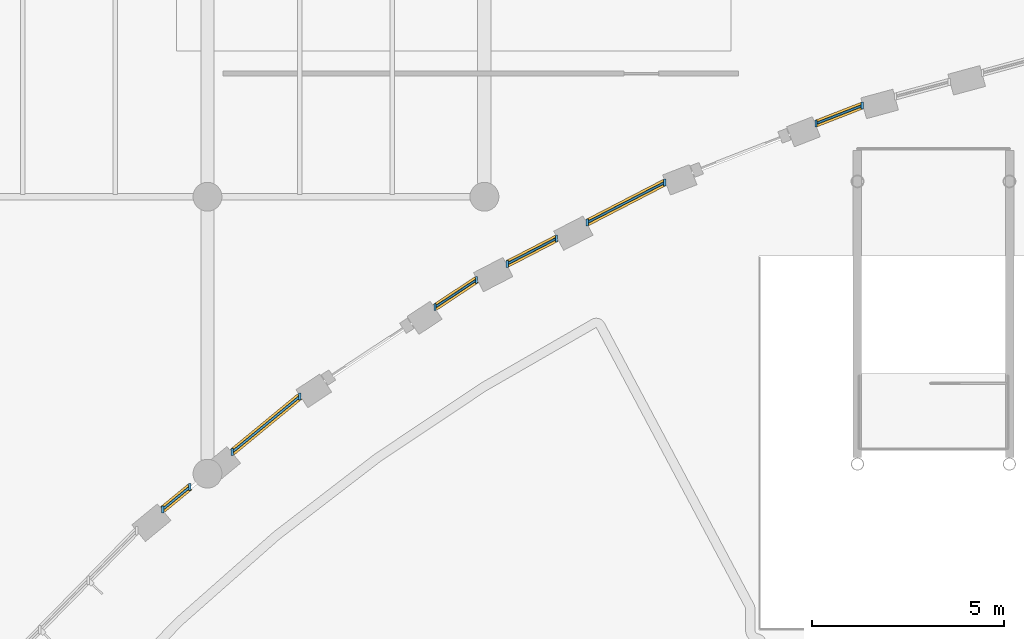
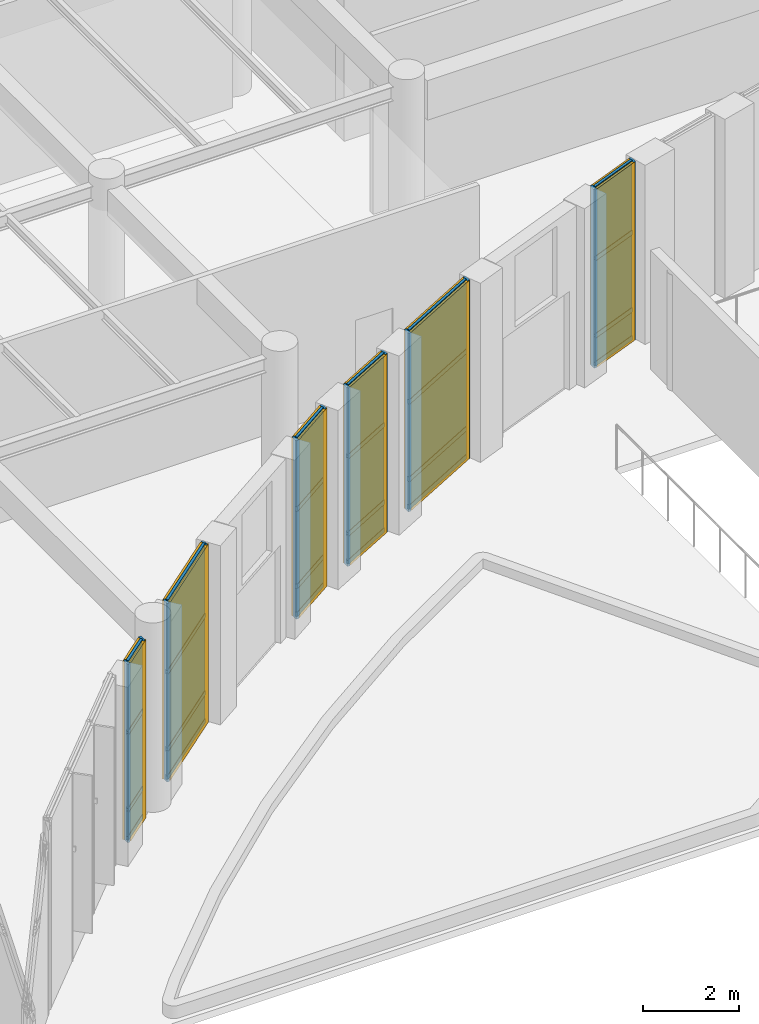
# One storey, part 57 of 122: 36 members, 18 plates, 6 curtain walls.
"""IFC4 building model written with IfcOpenShell, lengths in metres."""

from ifc_helpers import new_model, si_unit, direction, frame, frame_2d, origin, origin_2d, place, context, subcontext, project, spatial, rectangle, extrude, material, layer, layer_set, material_profile, profile_set, type_object, element, aggregate, save


model = new_model("IFC4")

# Units and contexts
model_context = context("Model", 3, precision=1e-05, world=origin(), true_north=direction((0.0, 1.0)))
body_context = subcontext(model_context, "Body", "Model", "MODEL_VIEW")
ifc_project = project(units=[si_unit("LENGTHUNIT", "METRE"), si_unit("AREAUNIT", "SQUARE_METRE"), si_unit("VOLUMEUNIT", "CUBIC_METRE"), si_unit("PLANEANGLEUNIT", "RADIAN"), si_unit("MASSUNIT", "GRAM", prefix="KILO")], contexts=[model_context])

# Member
ifc_material_1 = material(Name="Anodised Bronze Aluminium 6063-T6", Category="aluminium")
ifc_material_profile_1 = material_profile(ifc_material_1, rectangle(XDim=0.06005859375, YDim=0.1201171875, at=origin_2d()), Name="ALU TRANSOM 60x120")
ifc_profile_set_1 = profile_set([ifc_material_profile_1], Name="Anodised Bronze Aluminium 6063-T6")
member_type_1 = type_object("IfcMemberType", Name="Curtain-Wall Light Transom 60x120", PredefinedType="USERDEFINED", material=ifc_profile_set_1)
site_placement = place(None, origin())
building_placement = place(site_placement, origin())
storey_placement = place(building_placement, origin())
member_1_placement = place(storey_placement, frame((42.064453125, 7.695068359375, 0.0400390625), z_axis=(0.771787405886, 0.635880649269, 0.0), x_axis=(-0.635880649269, 0.771787405886, 0.0)))
member_1 = element("IfcMember", 1, at=member_1_placement, type_object=member_type_1, Name="Transom CWT-03 CW-V5-SLOT-C03-1-T01.1", ObjectType="TRANSOM", PredefinedType="USERDEFINED", context=body_context, shape_type="SweptSolid", body=[
    extrude(rectangle(XDim=0.06005859375, YDim=0.1201171875, at=origin_2d()), origin(), (0.0, 0.0, 1.0), 0.8388671875),
])

member_2_placement = place(storey_placement, frame((42.064453125, 7.695068359375, 0.75), z_axis=(0.771787405886, 0.635880649269, 0.0), x_axis=(-0.635880649269, 0.771787405886, 0.0)))
member_2 = element("IfcMember", 2, at=member_2_placement, type_object=member_type_1, Name="Transom CWT-03 CW-V5-SLOT-C03-1-T01.2", ObjectType="TRANSOM", PredefinedType="USERDEFINED", context=body_context, shape_type="SweptSolid", body=[
    extrude(rectangle(XDim=0.06005859375, YDim=0.1201171875, at=origin_2d()), origin(), (0.0, 0.0, 1.0), 0.8388671875),
])

member_3_placement = place(storey_placement, frame((42.064453125, 7.695068359375, 2.71044921875), z_axis=(0.771787405886, 0.635880649269, 0.0), x_axis=(-0.635880649269, 0.771787405886, 0.0)))
member_3 = element("IfcMember", 3, at=member_3_placement, type_object=member_type_1, Name="Transom CWT-03 CW-V5-SLOT-C03-1-T01.3", ObjectType="TRANSOM", PredefinedType="USERDEFINED", context=body_context, shape_type="SweptSolid", body=[
    extrude(rectangle(XDim=0.06005859375, YDim=0.1201171875, at=origin_2d()), origin(), (0.0, 0.0, 1.0), 0.8388671875),
])

member_4_placement = place(storey_placement, frame((42.064453125, 7.695068359375, 4.47998046875), z_axis=(0.771787405886, 0.635880649269, 0.0), x_axis=(-0.635880649269, 0.771787405886, 0.0)))
member_4 = element("IfcMember", 4, at=member_4_placement, type_object=member_type_1, Name="Transom CWT-03 CW-V5-SLOT-C03-1-T01.4", ObjectType="TRANSOM", PredefinedType="USERDEFINED", context=body_context, shape_type="SweptSolid", body=[
    extrude(rectangle(XDim=0.06005859375, YDim=0.1201171875, at=origin_2d()), origin(), (0.0, 0.0, 1.0), 0.8388671875),
])

member_5_placement = place(storey_placement, frame((43.87451171875, 9.18603515625, 0.0400390625), z_axis=(0.771901335094, 0.635742344727, 0.0), x_axis=(-0.635742344727, 0.771901335094, 0.0)))
member_5 = element("IfcMember", 5, at=member_5_placement, type_object=member_type_1, Name="Transom CWT-03 CW-V5-SLOT-C03-2-T01.1", ObjectType="TRANSOM", PredefinedType="USERDEFINED", context=body_context, shape_type="SweptSolid", body=[
    extrude(rectangle(XDim=0.06005859375, YDim=0.1201171875, at=origin_2d()), origin(), (0.0, 0.0, 1.0), 2.194580078125),
])

member_6_placement = place(storey_placement, frame((43.87451171875, 9.18603515625, 0.75), z_axis=(0.771901335094, 0.635742344727, 0.0), x_axis=(-0.635742344727, 0.771901335094, 0.0)))
member_6 = element("IfcMember", 6, at=member_6_placement, type_object=member_type_1, Name="Transom CWT-03 CW-V5-SLOT-C03-2-T01.2", ObjectType="TRANSOM", PredefinedType="USERDEFINED", context=body_context, shape_type="SweptSolid", body=[
    extrude(rectangle(XDim=0.06005859375, YDim=0.1201171875, at=origin_2d()), origin(), (0.0, 0.0, 1.0), 2.194580078125),
])

member_7_placement = place(storey_placement, frame((43.87451171875, 9.18603515625, 2.71044921875), z_axis=(0.771901335094, 0.635742344727, 0.0), x_axis=(-0.635742344727, 0.771901335094, 0.0)))
member_7 = element("IfcMember", 7, at=member_7_placement, type_object=member_type_1, Name="Transom CWT-03 CW-V5-SLOT-C03-2-T01.3", ObjectType="TRANSOM", PredefinedType="USERDEFINED", context=body_context, shape_type="SweptSolid", body=[
    extrude(rectangle(XDim=0.06005859375, YDim=0.1201171875, at=origin_2d()), origin(), (0.0, 0.0, 1.0), 2.194580078125),
])

member_8_placement = place(storey_placement, frame((43.87451171875, 9.18603515625, 4.47998046875), z_axis=(0.771901335094, 0.635742344727, 0.0), x_axis=(-0.635742344727, 0.771901335094, 0.0)))
member_8 = element("IfcMember", 8, at=member_8_placement, type_object=member_type_1, Name="Transom CWT-03 CW-V5-SLOT-C03-2-T01.4", ObjectType="TRANSOM", PredefinedType="USERDEFINED", context=body_context, shape_type="SweptSolid", body=[
    extrude(rectangle(XDim=0.06005859375, YDim=0.1201171875, at=origin_2d()), origin(), (0.0, 0.0, 1.0), 2.194580078125),
])

member_9_placement = place(storey_placement, frame((49.146240234375, 12.947998046875, 0.0400390625), z_axis=(0.834780507861, 0.550582876319, 0.0), x_axis=(-0.550582876319, 0.834780507861, 0.0)))
member_9 = element("IfcMember", 9, at=member_9_placement, type_object=member_type_1, Name="Transom CWT-03 CW-V5-SLOT-C04-2-T01.1", ObjectType="TRANSOM", PredefinedType="USERDEFINED", context=body_context, shape_type="SweptSolid", body=[
    extrude(rectangle(XDim=0.06005859375, YDim=0.1201171875, at=origin_2d()), origin(), (0.0, 0.0, 1.0), 1.219970703125),
])

member_10_placement = place(storey_placement, frame((49.146240234375, 12.947998046875, 0.75), z_axis=(0.834780507861, 0.550582876319, 0.0), x_axis=(-0.550582876319, 0.834780507861, 0.0)))
member_10 = element("IfcMember", 10, at=member_10_placement, type_object=member_type_1, Name="Transom CWT-03 CW-V5-SLOT-C04-2-T01.2", ObjectType="TRANSOM", PredefinedType="USERDEFINED", context=body_context, shape_type="SweptSolid", body=[
    extrude(rectangle(XDim=0.06005859375, YDim=0.1201171875, at=origin_2d()), origin(), (0.0, 0.0, 1.0), 1.219970703125),
])

member_11_placement = place(storey_placement, frame((49.146240234375, 12.947998046875, 2.71044921875), z_axis=(0.834780507861, 0.550582876319, 0.0), x_axis=(-0.550582876319, 0.834780507861, 0.0)))
member_11 = element("IfcMember", 11, at=member_11_placement, type_object=member_type_1, Name="Transom CWT-03 CW-V5-SLOT-C04-2-T01.3", ObjectType="TRANSOM", PredefinedType="USERDEFINED", context=body_context, shape_type="SweptSolid", body=[
    extrude(rectangle(XDim=0.06005859375, YDim=0.1201171875, at=origin_2d()), origin(), (0.0, 0.0, 1.0), 1.219970703125),
])

member_12_placement = place(storey_placement, frame((49.146240234375, 12.947998046875, 4.47998046875), z_axis=(0.834780507861, 0.550582876319, 0.0), x_axis=(-0.550582876319, 0.834780507861, 0.0)))
member_12 = element("IfcMember", 12, at=member_12_placement, type_object=member_type_1, Name="Transom CWT-03 CW-V5-SLOT-C04-2-T01.4", ObjectType="TRANSOM", PredefinedType="USERDEFINED", context=body_context, shape_type="SweptSolid", body=[
    extrude(rectangle(XDim=0.06005859375, YDim=0.1201171875, at=origin_2d()), origin(), (0.0, 0.0, 1.0), 1.219970703125),
])

member_13_placement = place(storey_placement, frame((51.0234375, 14.070068359375, 0.0400390625), z_axis=(0.888307587534, 0.459248984679, 0.0), x_axis=(-0.459248984679, 0.888307587534, 0.0)))
member_13 = element("IfcMember", 13, at=member_13_placement, type_object=member_type_1, Name="Transom CWT-03 CW-V5-SLOT-C05-1-T01.1", ObjectType="TRANSOM", PredefinedType="USERDEFINED", context=body_context, shape_type="SweptSolid", body=[
    extrude(rectangle(XDim=0.06005859375, YDim=0.1201171875, at=origin_2d()), origin(), (0.0, 0.0, 1.0), 1.374755859375),
])

member_14_placement = place(storey_placement, frame((51.0234375, 14.070068359375, 0.75), z_axis=(0.888307587534, 0.459248984679, 0.0), x_axis=(-0.459248984679, 0.888307587534, 0.0)))
member_14 = element("IfcMember", 14, at=member_14_placement, type_object=member_type_1, Name="Transom CWT-03 CW-V5-SLOT-C05-1-T01.2", ObjectType="TRANSOM", PredefinedType="USERDEFINED", context=body_context, shape_type="SweptSolid", body=[
    extrude(rectangle(XDim=0.06005859375, YDim=0.1201171875, at=origin_2d()), origin(), (0.0, 0.0, 1.0), 1.374755859375),
])

member_15_placement = place(storey_placement, frame((51.0234375, 14.070068359375, 2.71044921875), z_axis=(0.888307587534, 0.459248984679, 0.0), x_axis=(-0.459248984679, 0.888307587534, 0.0)))
member_15 = element("IfcMember", 15, at=member_15_placement, type_object=member_type_1, Name="Transom CWT-03 CW-V5-SLOT-C05-1-T01.3", ObjectType="TRANSOM", PredefinedType="USERDEFINED", context=body_context, shape_type="SweptSolid", body=[
    extrude(rectangle(XDim=0.06005859375, YDim=0.1201171875, at=origin_2d()), origin(), (0.0, 0.0, 1.0), 1.374755859375),
])

member_16_placement = place(storey_placement, frame((51.0234375, 14.070068359375, 4.47998046875), z_axis=(0.888307587534, 0.459248984679, 0.0), x_axis=(-0.459248984679, 0.888307587534, 0.0)))
member_16 = element("IfcMember", 16, at=member_16_placement, type_object=member_type_1, Name="Transom CWT-03 CW-V5-SLOT-C05-1-T01.4", ObjectType="TRANSOM", PredefinedType="USERDEFINED", context=body_context, shape_type="SweptSolid", body=[
    extrude(rectangle(XDim=0.06005859375, YDim=0.1201171875, at=origin_2d()), origin(), (0.0, 0.0, 1.0), 1.374755859375),
])

member_17_placement = place(storey_placement, frame((53.1064453125, 15.146728515625, 0.0400390625), z_axis=(0.888363152482, 0.459141491604, 0.0), x_axis=(-0.459141491604, 0.888363152482, 0.0)))
member_17 = element("IfcMember", 17, at=member_17_placement, type_object=member_type_1, Name="Transom CWT-03 CW-V5-SLOT-C05-2-T01.1", ObjectType="TRANSOM", PredefinedType="USERDEFINED", context=body_context, shape_type="SweptSolid", body=[
    extrude(rectangle(XDim=0.06005859375, YDim=0.1201171875, at=origin_2d()), origin(), (0.0, 0.0, 1.0), 2.195068359375),
])

member_18_placement = place(storey_placement, frame((53.1064453125, 15.146728515625, 0.75), z_axis=(0.888363152482, 0.459141491604, 0.0), x_axis=(-0.459141491604, 0.888363152482, 0.0)))
member_18 = element("IfcMember", 18, at=member_18_placement, type_object=member_type_1, Name="Transom CWT-03 CW-V5-SLOT-C05-2-T01.2", ObjectType="TRANSOM", PredefinedType="USERDEFINED", context=body_context, shape_type="SweptSolid", body=[
    extrude(rectangle(XDim=0.06005859375, YDim=0.1201171875, at=origin_2d()), origin(), (0.0, 0.0, 1.0), 2.195068359375),
])

member_19_placement = place(storey_placement, frame((53.1064453125, 15.146728515625, 2.71044921875), z_axis=(0.888363152482, 0.459141491604, 0.0), x_axis=(-0.459141491604, 0.888363152482, 0.0)))
member_19 = element("IfcMember", 19, at=member_19_placement, type_object=member_type_1, Name="Transom CWT-03 CW-V5-SLOT-C05-2-T01.3", ObjectType="TRANSOM", PredefinedType="USERDEFINED", context=body_context, shape_type="SweptSolid", body=[
    extrude(rectangle(XDim=0.06005859375, YDim=0.1201171875, at=origin_2d()), origin(), (0.0, 0.0, 1.0), 2.195068359375),
])

member_20_placement = place(storey_placement, frame((53.1064453125, 15.146728515625, 4.47998046875), z_axis=(0.888363152482, 0.459141491604, 0.0), x_axis=(-0.459141491604, 0.888363152482, 0.0)))
member_20 = element("IfcMember", 20, at=member_20_placement, type_object=member_type_1, Name="Transom CWT-03 CW-V5-SLOT-C05-2-T01.4", ObjectType="TRANSOM", PredefinedType="USERDEFINED", context=body_context, shape_type="SweptSolid", body=[
    extrude(rectangle(XDim=0.06005859375, YDim=0.1201171875, at=origin_2d()), origin(), (0.0, 0.0, 1.0), 2.195068359375),
])

member_21_placement = place(storey_placement, frame((59.052001953125, 17.71533203125, 0.0400390625), z_axis=(0.932008427294, 0.362436603356, 0.0), x_axis=(-0.362436603356, 0.932008427294, 0.0)))
member_21 = element("IfcMember", 21, at=member_21_placement, type_object=member_type_1, Name="Transom CWT-03 CW-V5-SLOT-C06-2-T01.1", ObjectType="TRANSOM", PredefinedType="USERDEFINED", context=body_context, shape_type="SweptSolid", body=[
    extrude(rectangle(XDim=0.06005859375, YDim=0.1201171875, at=origin_2d()), origin(), (0.0, 0.0, 1.0), 1.219970703125),
])

member_22_placement = place(storey_placement, frame((59.052001953125, 17.71533203125, 0.75), z_axis=(0.932008427294, 0.362436603356, 0.0), x_axis=(-0.362436603356, 0.932008427294, 0.0)))
member_22 = element("IfcMember", 22, at=member_22_placement, type_object=member_type_1, Name="Transom CWT-03 CW-V5-SLOT-C06-2-T01.2", ObjectType="TRANSOM", PredefinedType="USERDEFINED", context=body_context, shape_type="SweptSolid", body=[
    extrude(rectangle(XDim=0.06005859375, YDim=0.1201171875, at=origin_2d()), origin(), (0.0, 0.0, 1.0), 1.219970703125),
])

member_23_placement = place(storey_placement, frame((59.052001953125, 17.71533203125, 2.71044921875), z_axis=(0.932008427294, 0.362436603356, 0.0), x_axis=(-0.362436603356, 0.932008427294, 0.0)))
member_23 = element("IfcMember", 23, at=member_23_placement, type_object=member_type_1, Name="Transom CWT-03 CW-V5-SLOT-C06-2-T01.3", ObjectType="TRANSOM", PredefinedType="USERDEFINED", context=body_context, shape_type="SweptSolid", body=[
    extrude(rectangle(XDim=0.06005859375, YDim=0.1201171875, at=origin_2d()), origin(), (0.0, 0.0, 1.0), 1.219970703125),
])

member_24_placement = place(storey_placement, frame((59.052001953125, 17.71533203125, 4.47998046875), z_axis=(0.932008427294, 0.362436603356, 0.0), x_axis=(-0.362436603356, 0.932008427294, 0.0)))
member_24 = element("IfcMember", 24, at=member_24_placement, type_object=member_type_1, Name="Transom CWT-03 CW-V5-SLOT-C06-2-T01.4", ObjectType="TRANSOM", PredefinedType="USERDEFINED", context=body_context, shape_type="SweptSolid", body=[
    extrude(rectangle(XDim=0.06005859375, YDim=0.1201171875, at=origin_2d()), origin(), (0.0, 0.0, 1.0), 1.219970703125),
])

ifc_material_profile_2 = material_profile(ifc_material_1, rectangle(XDim=0.06005859375, YDim=0.179931640625, at=origin_2d()), Name="ALU MULLION 60x180")
ifc_profile_set_2 = profile_set([ifc_material_profile_2], Name="Anodised Bronze Aluminium 6063-T6")
member_type_2 = type_object("IfcMemberType", Name="Curtain-Wall Primary Mullion 60x180", PredefinedType="MULLION", material=ifc_profile_set_2)
member_25_placement = place(storey_placement, frame((42.037353515625, 7.6728515625, 0.0), z_axis=(0.0, 0.0, 1.0), x_axis=(1.0, 0.0, 0.0)))
member_25 = element("IfcMember", 25, at=member_25_placement, type_object=member_type_2, Name="Mullion CWM-01 CW-V5-SLOT-C03-1-M01", PredefinedType="MULLION", context=body_context, shape_type="SweptSolid", body=[
    extrude(rectangle(XDim=0.06005859375, YDim=0.179931640625, at=origin_2d()), origin(), (0.0, 0.0, 1.0), 4.52001953125),
])

member_26_placement = place(storey_placement, frame((42.739013671875, 8.250732421875, 0.0), z_axis=(0.0, 0.0, 1.0), x_axis=(1.0, 0.0, 0.0)))
member_26 = element("IfcMember", 26, at=member_26_placement, type_object=member_type_2, Name="Mullion CWM-01 CW-V5-SLOT-C03-1-M02", PredefinedType="MULLION", context=body_context, shape_type="SweptSolid", body=[
    extrude(rectangle(XDim=0.06005859375, YDim=0.179931640625, at=origin_2d()), origin(), (0.0, 0.0, 1.0), 4.52001953125),
])

member_27_placement = place(storey_placement, frame((43.847412109375, 9.163818359375, 0.0), z_axis=(0.0, 0.0, 1.0), x_axis=(1.0, 0.0, 0.0)))
member_27 = element("IfcMember", 27, at=member_27_placement, type_object=member_type_2, Name="Mullion CWM-01 CW-V5-SLOT-C03-2-M01", PredefinedType="MULLION", context=body_context, shape_type="SweptSolid", body=[
    extrude(rectangle(XDim=0.06005859375, YDim=0.179931640625, at=origin_2d()), origin(), (0.0, 0.0, 1.0), 4.52001953125),
])

member_28_placement = place(storey_placement, frame((45.595703125, 10.603759765625, 0.0), z_axis=(0.0, 0.0, 1.0), x_axis=(1.0, 0.0, 0.0)))
member_28 = element("IfcMember", 28, at=member_28_placement, type_object=member_type_2, Name="Mullion CWM-01 CW-V5-SLOT-C03-2-M02", PredefinedType="MULLION", context=body_context, shape_type="SweptSolid", body=[
    extrude(rectangle(XDim=0.06005859375, YDim=0.179931640625, at=origin_2d()), origin(), (0.0, 0.0, 1.0), 4.52001953125),
])

member_29_placement = place(storey_placement, frame((49.1171875, 12.9287109375, 0.0), z_axis=(0.0, 0.0, 1.0), x_axis=(1.0, 0.0, 0.0)))
member_29 = element("IfcMember", 29, at=member_29_placement, type_object=member_type_2, Name="Mullion CWM-01 CW-V5-SLOT-C04-2-M01", PredefinedType="MULLION", context=body_context, shape_type="SweptSolid", body=[
    extrude(rectangle(XDim=0.06005859375, YDim=0.179931640625, at=origin_2d()), origin(), (0.0, 0.0, 1.0), 4.52001953125),
])

member_30_placement = place(storey_placement, frame((50.19384765625, 13.638916015625, 0.0), z_axis=(0.0, 0.0, 1.0), x_axis=(1.0, 0.0, 0.0)))
member_30 = element("IfcMember", 30, at=member_30_placement, type_object=member_type_2, Name="Mullion CWM-01 CW-V5-SLOT-C04-2-M02", PredefinedType="MULLION", context=body_context, shape_type="SweptSolid", body=[
    extrude(rectangle(XDim=0.06005859375, YDim=0.179931640625, at=origin_2d()), origin(), (0.0, 0.0, 1.0), 4.52001953125),
])

member_31_placement = place(storey_placement, frame((50.9921875, 14.053955078125, 0.0), z_axis=(0.0, 0.0, 1.0), x_axis=(1.0, 0.0, 0.0)))
member_31 = element("IfcMember", 31, at=member_31_placement, type_object=member_type_2, Name="Mullion CWM-01 CW-V5-SLOT-C05-1-M01", PredefinedType="MULLION", context=body_context, shape_type="SweptSolid", body=[
    extrude(rectangle(XDim=0.06005859375, YDim=0.179931640625, at=origin_2d()), origin(), (0.0, 0.0, 1.0), 4.52001953125),
])

member_32_placement = place(storey_placement, frame((52.27587890625, 14.71728515625, 0.0), z_axis=(0.0, 0.0, 1.0), x_axis=(1.0, 0.0, 0.0)))
member_32 = element("IfcMember", 32, at=member_32_placement, type_object=member_type_2, Name="Mullion CWM-01 CW-V5-SLOT-C05-1-M02", PredefinedType="MULLION", context=body_context, shape_type="SweptSolid", body=[
    extrude(rectangle(XDim=0.06005859375, YDim=0.179931640625, at=origin_2d()), origin(), (0.0, 0.0, 1.0), 4.52001953125),
])

member_33_placement = place(storey_placement, frame((53.075439453125, 15.130615234375, 0.0), z_axis=(0.0, 0.0, 1.0), x_axis=(1.0, 0.0, 0.0)))
member_33 = element("IfcMember", 33, at=member_33_placement, type_object=member_type_2, Name="Mullion CWM-01 CW-V5-SLOT-C05-2-M01", PredefinedType="MULLION", context=body_context, shape_type="SweptSolid", body=[
    extrude(rectangle(XDim=0.06005859375, YDim=0.179931640625, at=origin_2d()), origin(), (0.0, 0.0, 1.0), 4.52001953125),
])

member_34_placement = place(storey_placement, frame((55.08740234375, 16.170654296875, 0.0), z_axis=(0.0, 0.0, 1.0), x_axis=(1.0, 0.0, 0.0)))
member_34 = element("IfcMember", 34, at=member_34_placement, type_object=member_type_2, Name="Mullion CWM-01 CW-V5-SLOT-C05-2-M02", PredefinedType="MULLION", context=body_context, shape_type="SweptSolid", body=[
    extrude(rectangle(XDim=0.06005859375, YDim=0.179931640625, at=origin_2d()), origin(), (0.0, 0.0, 1.0), 4.52001953125),
])

member_35_placement = place(storey_placement, frame((59.019287109375, 17.70263671875, 0.0), z_axis=(0.0, 0.0, 1.0), x_axis=(1.0, 0.0, 0.0)))
member_35 = element("IfcMember", 35, at=member_35_placement, type_object=member_type_2, Name="Mullion CWM-01 CW-V5-SLOT-C06-2-M01", PredefinedType="MULLION", context=body_context, shape_type="SweptSolid", body=[
    extrude(rectangle(XDim=0.06005859375, YDim=0.179931640625, at=origin_2d()), origin(), (0.0, 0.0, 1.0), 4.52001953125),
])

member_36_placement = place(storey_placement, frame((60.221435546875, 18.170166015625, 0.0), z_axis=(0.0, 0.0, 1.0), x_axis=(1.0, 0.0, 0.0)))
member_36 = element("IfcMember", 36, at=member_36_placement, type_object=member_type_2, Name="Mullion CWM-01 CW-V5-SLOT-C06-2-M02", PredefinedType="MULLION", context=body_context, shape_type="SweptSolid", body=[
    extrude(rectangle(XDim=0.06005859375, YDim=0.179931640625, at=origin_2d()), origin(), (0.0, 0.0, 1.0), 4.52001953125),
])

# Plate
ifc_material_2 = material(Name="Double Low-E Acoustic Laminated Glass", Category="glass")
ifc_layer_1 = layer(ifc_material_2, 0.0439453125, Name="Double Low-E Acoustic Laminated Glass")
ifc_layer_set_1 = layer_set([ifc_layer_1], Name="Double Low-E Acoustic Laminated Glass")
plate_type_1 = type_object("IfcPlateType", Name="Acoustic Laminated Low-E Glazing Unit 44", PredefinedType="CURTAIN_PANEL", material=ifc_layer_set_1)
plate_1_placement = place(storey_placement, frame((42.38818359375, 7.9619140625, 0.780029296875), z_axis=(0.0, 0.0, 1.0), x_axis=(0.77186987265, 0.635780543658, 0.0)))
plate_1 = element("IfcPlate", 37, at=plate_1_placement, type_object=plate_type_1, Name="Curtain Panel CWP-01 CW-V5-SLOT-C03-1-P01.2", PredefinedType="CURTAIN_PANEL", context=body_context, shape_type="SweptSolid", body=[
    extrude(rectangle(XDim=0.839111328125, YDim=0.0439453125, at=origin_2d()), origin(), (0.0, 0.0, 1.0), 1.900390625),
])

plate_2_placement = place(storey_placement, frame((42.38818359375, 7.9619140625, 2.740234375), z_axis=(0.0, 0.0, 1.0), x_axis=(0.77186987265, 0.635780543658, 0.0)))
plate_2 = element("IfcPlate", 38, at=plate_2_placement, type_object=plate_type_1, Name="Curtain Panel CWP-01 CW-V5-SLOT-C03-1-P01.3", PredefinedType="CURTAIN_PANEL", context=body_context, shape_type="SweptSolid", body=[
    extrude(rectangle(XDim=0.839111328125, YDim=0.0439453125, at=origin_2d()), origin(), (0.0, 0.0, 1.0), 1.709716796875),
])

plate_3_placement = place(storey_placement, frame((44.721435546875, 9.8837890625, 0.780029296875), z_axis=(0.0, 0.0, 1.0), x_axis=(0.771864324389, 0.63578727947, 0.0)))
plate_3 = element("IfcPlate", 39, at=plate_3_placement, type_object=plate_type_1, Name="Curtain Panel CWP-01 CW-V5-SLOT-C03-2-P01.2", PredefinedType="CURTAIN_PANEL", context=body_context, shape_type="SweptSolid", body=[
    extrude(rectangle(XDim=2.19482421875, YDim=0.0439453125, at=origin_2d()), origin(), (0.0, 0.0, 1.0), 1.900390625),
])

plate_4_placement = place(storey_placement, frame((44.721435546875, 9.8837890625, 2.740234375), z_axis=(0.0, 0.0, 1.0), x_axis=(0.771864324389, 0.63578727947, 0.0)))
plate_4 = element("IfcPlate", 40, at=plate_4_placement, type_object=plate_type_1, Name="Curtain Panel CWP-01 CW-V5-SLOT-C03-2-P01.3", PredefinedType="CURTAIN_PANEL", context=body_context, shape_type="SweptSolid", body=[
    extrude(rectangle(XDim=2.19482421875, YDim=0.0439453125, at=origin_2d()), origin(), (0.0, 0.0, 1.0), 1.709716796875),
])

plate_5_placement = place(storey_placement, frame((49.655517578125, 13.28369140625, 0.780029296875), z_axis=(0.0, 0.0, 1.0), x_axis=(0.834795017059, 0.55056087719, 0.0)))
plate_5 = element("IfcPlate", 41, at=plate_5_placement, type_object=plate_type_1, Name="Curtain Panel CWP-01 CW-V5-SLOT-C04-2-P01.2", PredefinedType="CURTAIN_PANEL", context=body_context, shape_type="SweptSolid", body=[
    extrude(rectangle(XDim=1.2197265625, YDim=0.0439453125, at=origin_2d()), origin(), (0.0, 0.0, 1.0), 1.900390625),
])

plate_6_placement = place(storey_placement, frame((49.655517578125, 13.28369140625, 2.740234375), z_axis=(0.0, 0.0, 1.0), x_axis=(0.834795017059, 0.55056087719, 0.0)))
plate_6 = element("IfcPlate", 42, at=plate_6_placement, type_object=plate_type_1, Name="Curtain Panel CWP-01 CW-V5-SLOT-C04-2-P01.3", PredefinedType="CURTAIN_PANEL", context=body_context, shape_type="SweptSolid", body=[
    extrude(rectangle(XDim=1.2197265625, YDim=0.0439453125, at=origin_2d()), origin(), (0.0, 0.0, 1.0), 1.709716796875),
])

plate_7_placement = place(storey_placement, frame((51.634033203125, 14.3857421875, 0.780029296875), z_axis=(0.0, 0.0, 1.0), x_axis=(0.8883529221, 0.459161285167, 0.0)))
plate_7 = element("IfcPlate", 43, at=plate_7_placement, type_object=plate_type_1, Name="Curtain Panel CWP-01 CW-V5-SLOT-C05-1-P01.2", PredefinedType="CURTAIN_PANEL", context=body_context, shape_type="SweptSolid", body=[
    extrude(rectangle(XDim=1.374755859375, YDim=0.0439453125, at=origin_2d()), origin(), (0.0, 0.0, 1.0), 1.900390625),
])

plate_8_placement = place(storey_placement, frame((51.634033203125, 14.3857421875, 2.740234375), z_axis=(0.0, 0.0, 1.0), x_axis=(0.8883529221, 0.459161285167, 0.0)))
plate_8 = element("IfcPlate", 44, at=plate_8_placement, type_object=plate_type_1, Name="Curtain Panel CWP-01 CW-V5-SLOT-C05-1-P01.3", PredefinedType="CURTAIN_PANEL", context=body_context, shape_type="SweptSolid", body=[
    extrude(rectangle(XDim=1.374755859375, YDim=0.0439453125, at=origin_2d()), origin(), (0.0, 0.0, 1.0), 1.709716796875),
])

plate_9_placement = place(storey_placement, frame((54.08154296875, 15.650634765625, 0.780029296875), z_axis=(0.0, 0.0, 1.0), x_axis=(0.888351319319, 0.459164386101, 0.0)))
plate_9 = element("IfcPlate", 45, at=plate_9_placement, type_object=plate_type_1, Name="Curtain Panel CWP-01 CW-V5-SLOT-C05-2-P01.2", PredefinedType="CURTAIN_PANEL", context=body_context, shape_type="SweptSolid", body=[
    extrude(rectangle(XDim=2.195068359375, YDim=0.0439453125, at=origin_2d()), origin(), (0.0, 0.0, 1.0), 1.900390625),
])

plate_10_placement = place(storey_placement, frame((54.08154296875, 15.650634765625, 2.740234375), z_axis=(0.0, 0.0, 1.0), x_axis=(0.888351319319, 0.459164386101, 0.0)))
plate_10 = element("IfcPlate", 46, at=plate_10_placement, type_object=plate_type_1, Name="Curtain Panel CWP-01 CW-V5-SLOT-C05-2-P01.3", PredefinedType="CURTAIN_PANEL", context=body_context, shape_type="SweptSolid", body=[
    extrude(rectangle(XDim=2.195068359375, YDim=0.0439453125, at=origin_2d()), origin(), (0.0, 0.0, 1.0), 1.709716796875),
])

plate_11_placement = place(storey_placement, frame((59.620361328125, 17.936279296875, 0.780029296875), z_axis=(0.0, 0.0, 1.0), x_axis=(0.931974338889, 0.362524249745, 0.0)))
plate_11 = element("IfcPlate", 47, at=plate_11_placement, type_object=plate_type_1, Name="Curtain Panel CWP-01 CW-V5-SLOT-C06-2-P01.2", PredefinedType="CURTAIN_PANEL", context=body_context, shape_type="SweptSolid", body=[
    extrude(rectangle(XDim=1.2197265625, YDim=0.0439453125, at=origin_2d()), origin(), (0.0, 0.0, 1.0), 1.900390625),
])

plate_12_placement = place(storey_placement, frame((59.620361328125, 17.936279296875, 2.740234375), z_axis=(0.0, 0.0, 1.0), x_axis=(0.931974338889, 0.362524249745, 0.0)))
plate_12 = element("IfcPlate", 48, at=plate_12_placement, type_object=plate_type_1, Name="Curtain Panel CWP-01 CW-V5-SLOT-C06-2-P01.3", PredefinedType="CURTAIN_PANEL", context=body_context, shape_type="SweptSolid", body=[
    extrude(rectangle(XDim=1.2197265625, YDim=0.0439453125, at=origin_2d()), origin(), (0.0, 0.0, 1.0), 1.709716796875),
])

ifc_material_3 = material(Name="Ceramic-Fritted Tempered Laminated Glass", Category="glass")
ifc_layer_2 = layer(ifc_material_3, 0.0458984375, Name="Ceramic-Fritted Tempered Laminated Glass")
ifc_layer_set_2 = layer_set([ifc_layer_2], Name="Ceramic-Fritted Tempered Laminated Glass")
plate_type_2 = type_object("IfcPlateType", Name="Ceramic-Frit Acoustic Spandrel Glazing 46", PredefinedType="CURTAIN_PANEL", material=ifc_layer_set_2)
plate_13_placement = place(storey_placement, frame((42.38818359375, 7.9619140625, 0.070068359375), z_axis=(0.0, 0.0, 1.0), x_axis=(0.77186987265, 0.635780543658, 0.0)))
plate_13 = element("IfcPlate", 49, at=plate_13_placement, type_object=plate_type_2, Name="Curtain Panel CWP-04 CW-V5-SLOT-C03-1-P01.1", PredefinedType="CURTAIN_PANEL", context=body_context, shape_type="SweptSolid", body=[
    extrude(rectangle(XDim=0.839111328125, YDim=0.0458984375, at=origin_2d()), origin(), (0.0, 0.0, 1.0), 0.64990234375),
])

plate_14_placement = place(storey_placement, frame((44.721435546875, 9.8837890625, 0.070068359375), z_axis=(0.0, 0.0, 1.0), x_axis=(0.771864324389, 0.63578727947, 0.0)))
plate_14 = element("IfcPlate", 50, at=plate_14_placement, type_object=plate_type_2, Name="Curtain Panel CWP-04 CW-V5-SLOT-C03-2-P01.1", PredefinedType="CURTAIN_PANEL", context=body_context, shape_type="SweptSolid", body=[
    extrude(rectangle(XDim=2.19482421875, YDim=0.0458984375, at=origin_2d()), origin(), (0.0, 0.0, 1.0), 0.64990234375),
])

plate_15_placement = place(storey_placement, frame((49.655517578125, 13.28369140625, 0.070068359375), z_axis=(0.0, 0.0, 1.0), x_axis=(0.834795017059, 0.55056087719, 0.0)))
plate_15 = element("IfcPlate", 51, at=plate_15_placement, type_object=plate_type_2, Name="Curtain Panel CWP-04 CW-V5-SLOT-C04-2-P01.1", PredefinedType="CURTAIN_PANEL", context=body_context, shape_type="SweptSolid", body=[
    extrude(rectangle(XDim=1.2197265625, YDim=0.0458984375, at=origin_2d()), origin(), (0.0, 0.0, 1.0), 0.64990234375),
])

plate_16_placement = place(storey_placement, frame((51.634033203125, 14.3857421875, 0.070068359375), z_axis=(0.0, 0.0, 1.0), x_axis=(0.8883529221, 0.459161285167, 0.0)))
plate_16 = element("IfcPlate", 52, at=plate_16_placement, type_object=plate_type_2, Name="Curtain Panel CWP-04 CW-V5-SLOT-C05-1-P01.1", PredefinedType="CURTAIN_PANEL", context=body_context, shape_type="SweptSolid", body=[
    extrude(rectangle(XDim=1.374755859375, YDim=0.0458984375, at=origin_2d()), origin(), (0.0, 0.0, 1.0), 0.64990234375),
])

plate_17_placement = place(storey_placement, frame((54.08154296875, 15.650634765625, 0.070068359375), z_axis=(0.0, 0.0, 1.0), x_axis=(0.888351319319, 0.459164386101, 0.0)))
plate_17 = element("IfcPlate", 53, at=plate_17_placement, type_object=plate_type_2, Name="Curtain Panel CWP-04 CW-V5-SLOT-C05-2-P01.1", PredefinedType="CURTAIN_PANEL", context=body_context, shape_type="SweptSolid", body=[
    extrude(rectangle(XDim=2.195068359375, YDim=0.0458984375, at=origin_2d()), origin(), (0.0, 0.0, 1.0), 0.64990234375),
])

plate_18_placement = place(storey_placement, frame((59.620361328125, 17.936279296875, 0.070068359375), z_axis=(0.0, 0.0, 1.0), x_axis=(0.931974338889, 0.362524249745, 0.0)))
plate_18 = element("IfcPlate", 54, at=plate_18_placement, type_object=plate_type_2, Name="Curtain Panel CWP-04 CW-V5-SLOT-C06-2-P01.1", PredefinedType="CURTAIN_PANEL", context=body_context, shape_type="SweptSolid", body=[
    extrude(rectangle(XDim=1.2197265625, YDim=0.0458984375, at=origin_2d()), origin(), (0.0, 0.0, 1.0), 0.64990234375),
])

# Site, building, storey
site = spatial("IfcSite", under=ifc_project, at=site_placement, CompositionType="ELEMENT")
building = spatial("IfcBuilding", under=site, at=building_placement, Name="Tazoul Stagehouse", CompositionType="ELEMENT")
storey = spatial("IfcBuildingStorey", under=building, at=storey_placement, Name="L00", CompositionType="ELEMENT", Elevation=0.0)

# Curtain wall
curtain_wall_type = type_object("IfcCurtainWallType", Name="Foyer Clear Solar-Control Curtain Wall", PredefinedType="NOTDEFINED", material=ifc_material_1)
curtain_wall_1_placement = place(storey_placement, frame((42.037353515625, 7.6728515625, 0.0), z_axis=(0.0, 0.0, 1.0), x_axis=(0.771906976383, 0.635735495163, 0.0)))
curtain_wall_1 = element("IfcCurtainWall", 55, at=curtain_wall_1_placement, inside=storey, type_object=curtain_wall_type, Name="L00 Curtain Wall CW-02 (CW-V5-SLOT-C03-1)", PredefinedType="NOTDEFINED", context=body_context, shape_type="SweptSolid", body=[
    extrude(rectangle(XDim=0.908935546875, YDim=0.179931640625, at=frame_2d((0.45458984375, 0.0))), origin(), (0.0, 0.0, 1.0), 4.52001953125),
])

aggregate(curtain_wall_1, [member_25, member_26, member_1, member_2, member_3, member_4, plate_13, plate_1, plate_2])

curtain_wall_2_placement = place(storey_placement, frame((43.847412109375, 9.163818359375, 0.0), z_axis=(0.0, 0.0, 1.0), x_axis=(0.771892896297, 0.63575259075, 0.0)))
curtain_wall_2 = element("IfcCurtainWall", 56, at=curtain_wall_2_placement, inside=storey, type_object=curtain_wall_type, Name="L00 Curtain Wall CW-02 (CW-V5-SLOT-C03-2)", PredefinedType="NOTDEFINED", context=body_context, shape_type="SweptSolid", body=[
    extrude(rectangle(XDim=2.264892578125, YDim=0.179931640625, at=frame_2d((1.13232421875, 0.0))), origin(), (0.0, 0.0, 1.0), 4.52001953125),
])

aggregate(curtain_wall_2, [member_27, member_28, member_5, member_6, member_7, member_8, plate_14, plate_3, plate_4])

curtain_wall_3_placement = place(storey_placement, frame((49.1171875, 12.9287109375, 0.0), z_axis=(0.0, 0.0, 1.0), x_axis=(0.834748614633, 0.550631229017, 0.0)))
curtain_wall_3 = element("IfcCurtainWall", 57, at=curtain_wall_3_placement, inside=storey, type_object=curtain_wall_type, Name="L00 Curtain Wall CW-02 (CW-V5-SLOT-C04-2)", PredefinedType="NOTDEFINED", context=body_context, shape_type="SweptSolid", body=[
    extrude(rectangle(XDim=1.289794921875, YDim=0.179931640625, at=frame_2d((0.64501953125, 0.0))), origin(), (0.0, 0.0, 1.0), 4.52001953125),
])

aggregate(curtain_wall_3, [member_29, member_30, member_9, member_10, member_11, member_12, plate_15, plate_5, plate_6])

curtain_wall_4_placement = place(storey_placement, frame((50.9921875, 14.053955078125, 0.0), z_axis=(0.0, 0.0, 1.0), x_axis=(0.888400640903, 0.459068950425, 0.0)))
curtain_wall_4 = element("IfcCurtainWall", 58, at=curtain_wall_4_placement, inside=storey, type_object=curtain_wall_type, Name="L00 Curtain Wall CW-02 (CW-V5-SLOT-C05-1)", PredefinedType="NOTDEFINED", context=body_context, shape_type="SweptSolid", body=[
    extrude(rectangle(XDim=1.445068359375, YDim=0.179931640625, at=frame_2d((0.72265625, 0.0))), origin(), (0.0, 0.0, 1.0), 4.52001953125),
])

aggregate(curtain_wall_4, [member_31, member_32, member_13, member_14, member_15, member_16, plate_16, plate_7, plate_8])

curtain_wall_5_placement = place(storey_placement, frame((53.075439453125, 15.130615234375, 0.0), z_axis=(0.0, 0.0, 1.0), x_axis=(0.888331376141, 0.459202968373, 0.0)))
curtain_wall_5 = element("IfcCurtainWall", 59, at=curtain_wall_5_placement, inside=storey, type_object=curtain_wall_type, Name="L00 Curtain Wall CW-02 (CW-V5-SLOT-C05-2)", PredefinedType="NOTDEFINED", context=body_context, shape_type="SweptSolid", body=[
    extrude(rectangle(XDim=2.264892578125, YDim=0.179931640625, at=frame_2d((1.13232421875, 0.0))), origin(), (0.0, 0.0, 1.0), 4.52001953125),
])

aggregate(curtain_wall_5, [member_33, member_34, member_17, member_18, member_19, member_20, plate_17, plate_9, plate_10])

curtain_wall_6_placement = place(storey_placement, frame((59.019287109375, 17.70263671875, 0.0), z_axis=(0.0, 0.0, 1.0), x_axis=(0.93199756715, 0.36246452906, 0.0)))
curtain_wall_6 = element("IfcCurtainWall", 60, at=curtain_wall_6_placement, inside=storey, type_object=curtain_wall_type, Name="L00 Curtain Wall CW-02 (CW-V5-SLOT-C06-2)", PredefinedType="NOTDEFINED", context=body_context, shape_type="SweptSolid", body=[
    extrude(rectangle(XDim=1.289794921875, YDim=0.179931640625, at=frame_2d((0.64501953125, 0.0))), origin(), (0.0, 0.0, 1.0), 4.52001953125),
])

aggregate(curtain_wall_6, [member_35, member_36, member_21, member_22, member_23, member_24, plate_18, plate_11, plate_12])

save(model, "model.ifc")
